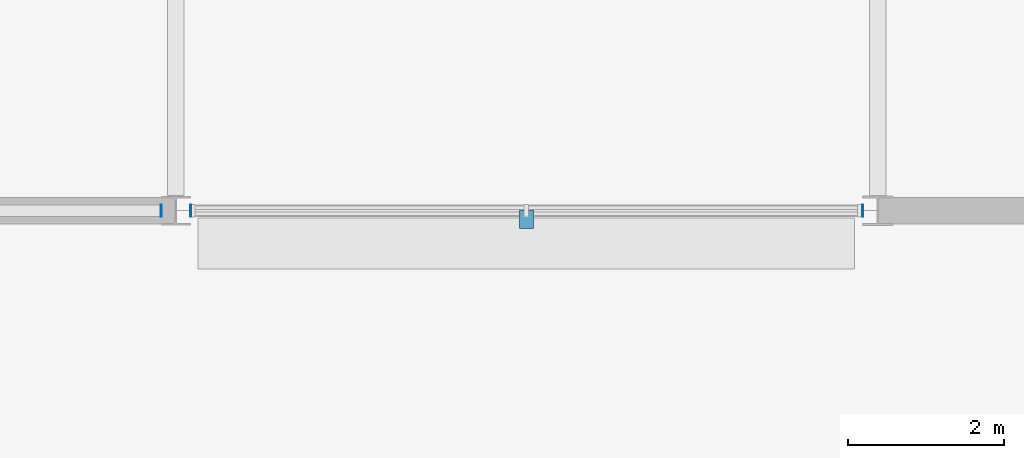
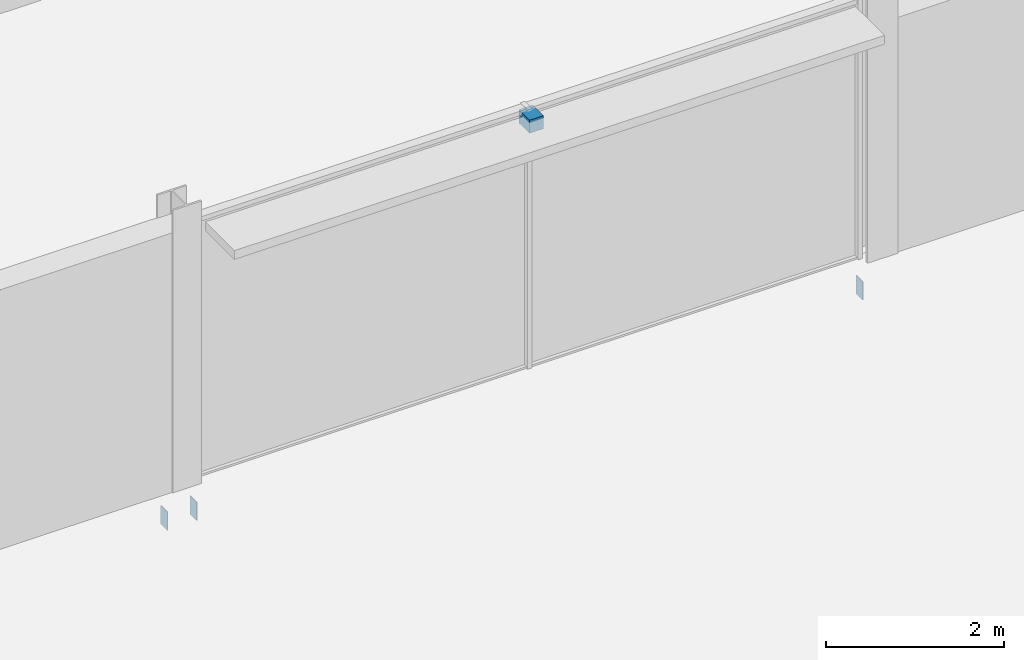
# One storey, part 84 of 105: 4 discrete accessories.
"""IFC4 building model written with IfcOpenShell, lengths in metres."""

from ifc_helpers import new_model, si_unit, direction, frame, origin, origin_2d, place, context, subcontext, project, spatial, polyline, rectangle, outline, extrude, material, layer, layer_set, type_object, element, save


model = new_model("IFC4")

# Units and contexts
model_context = context("Model", 3, precision=1e-05, world=origin(), true_north=direction((0.0, 1.0)))
body_context = subcontext(model_context, "Body", "Model", "MODEL_VIEW")
ifc_project = project(units=[si_unit("LENGTHUNIT", "METRE"), si_unit("AREAUNIT", "SQUARE_METRE"), si_unit("VOLUMEUNIT", "CUBIC_METRE"), si_unit("PLANEANGLEUNIT", "RADIAN"), si_unit("MASSUNIT", "GRAM", prefix="KILO")], contexts=[model_context])

# Site, building, storey
site_placement = place(None, origin())
site = spatial("IfcSite", under=ifc_project, at=site_placement, CompositionType="ELEMENT")
building_placement = place(site_placement, origin())
building = spatial("IfcBuilding", under=site, at=building_placement, Name="Kisiwana Market Hall", CompositionType="ELEMENT")
storey_placement = place(building_placement, frame((0.0, 0.0, 21.60009765625)))
storey = spatial("IfcBuildingStorey", under=building, at=storey_placement, Name="L04", CompositionType="ELEMENT", Elevation=21.60009765625)

# Discrete accessories
ifc_material_1 = material(Name="Steel S355", Category="steel")
discrete_accessory_type_1 = type_object("IfcDiscreteAccessoryType", Name="ACC-BRACKET-STL", PredefinedType="BRACKET", material=ifc_material_1)
discrete_accessory_1_placement = place(storey_placement, frame((166.494384765625, 8.889892578125, 3.375), z_axis=(0.0, 0.0, 1.0), x_axis=(1.0, 0.0, 0.0)))
element("IfcDiscreteAccessory", 1, at=discrete_accessory_1_placement, inside=storey, type_object=discrete_accessory_type_1, Name="Sunshade steel bracket BRK-052", PredefinedType="BRACKET", context=body_context, shape_type="SweptSolid", body=[
    extrude(rectangle(XDim=0.179931640625, YDim=0.239990234375, at=origin_2d()), origin(), (0.0, 0.0, 1.0), 0.179931640625),
])
ifc_material_2 = material(Name="Steel S355", Category="steel")
ifc_layer = layer(ifc_material_2, 0.011962890625)
ifc_layer_set = layer_set([ifc_layer], Name="ACC-ENDCAP-STL")
discrete_accessory_type_2 = type_object("IfcDiscreteAccessoryType", Name="ACC-ENDCAP-STL", PredefinedType="USERDEFINED", material=ifc_layer_set)
discrete_accessory_2_placement = place(storey_placement, frame((0.0, 0.0, -0.5419921875)))
element("IfcDiscreteAccessory", 2, at=discrete_accessory_2_placement, inside=storey, type_object=discrete_accessory_type_2, Name="End cap plate EC-0052", ObjectType="End cap plate", PredefinedType="USERDEFINED", context=body_context, shape_type="SweptSolid", body=[
    extrude(outline(polyline([(161.804443359375, 8.925048828125), (161.81640625, 8.925048828125), (161.81640625, 9.074951171875), (161.804443359375, 9.074951171875), (161.804443359375, 8.925048828125)])), origin(), (0.0, 0.0, 1.0), 0.25),
])
discrete_accessory_3_placement = place(storey_placement, frame((0.0, 0.0, -0.5419921875)))
element("IfcDiscreteAccessory", 3, at=discrete_accessory_3_placement, inside=storey, type_object=discrete_accessory_type_2, Name="End cap plate EC-0053", ObjectType="End cap plate", PredefinedType="USERDEFINED", context=body_context, shape_type="SweptSolid", body=[
    extrude(outline(polyline([(170.804443359375, 8.925048828125), (170.81640625, 8.925048828125), (170.81640625, 9.074951171875), (170.804443359375, 9.074951171875), (170.804443359375, 8.925048828125)])), origin(), (0.0, 0.0, 1.0), 0.25),
])
discrete_accessory_4_placement = place(storey_placement, frame((0.0, 0.0, -0.5419921875)))
element("IfcDiscreteAccessory", 4, at=discrete_accessory_4_placement, inside=storey, type_object=discrete_accessory_type_2, Name="End cap plate EC-0054", ObjectType="End cap plate", PredefinedType="USERDEFINED", context=body_context, shape_type="SweptSolid", body=[
    extrude(outline(polyline([(162.195556640625, 8.925048828125), (162.195556640625, 9.074951171875), (162.18359375, 9.074951171875), (162.18359375, 8.925048828125), (162.195556640625, 8.925048828125)])), origin(), (0.0, 0.0, 1.0), 0.25),
])

save(model, "model.ifc")
